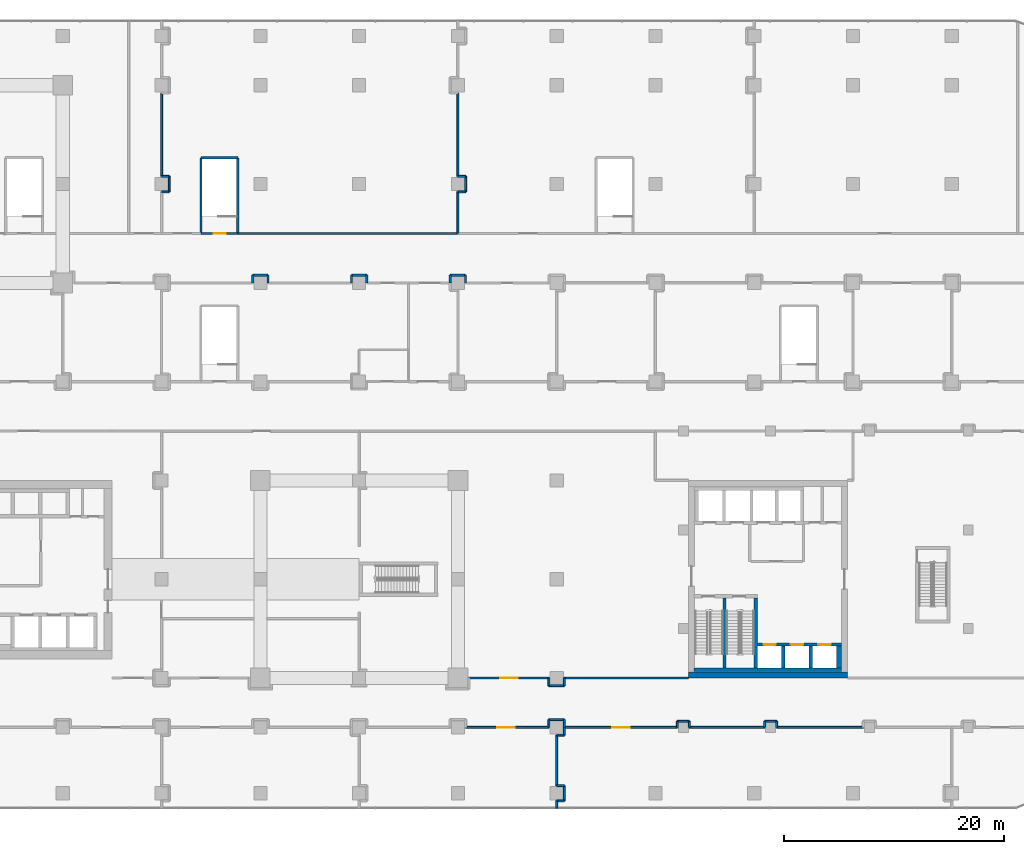
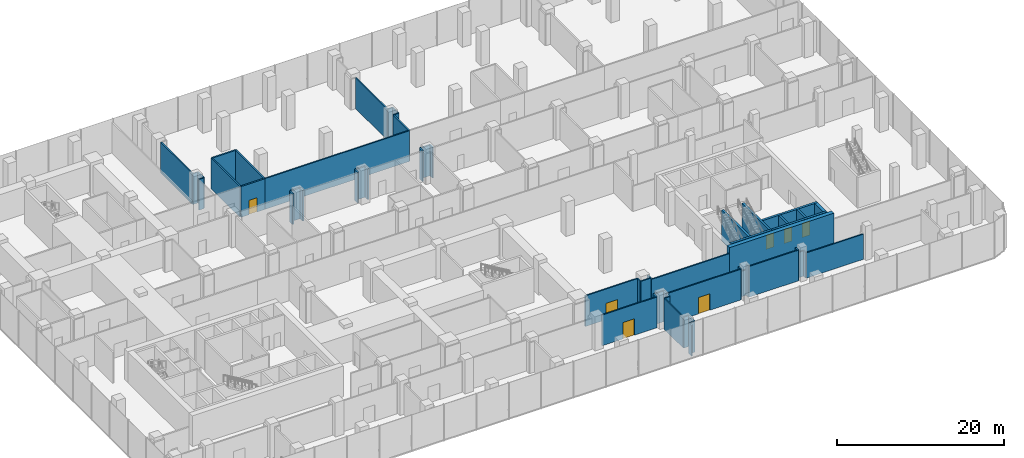
# One storey, part 28 of 36: 57 walls, 7 doors, 7 openings.
"""IFC4 building model written with IfcOpenShell, lengths in metres."""

from ifc_helpers import new_model, si_unit, direction, frame, frame_2d, origin, place, context, subcontext, project, spatial, rectangle, extrude, material, layer, layer_set, type_object, element, fill, save


model = new_model("IFC4")

# Units and contexts
model_context = context("Model", 3, precision=1e-05, world=origin(), true_north=direction((0.0, 1.0)))
body_context = subcontext(model_context, "Body", "Model", "MODEL_VIEW")
ifc_project = project(units=[si_unit("LENGTHUNIT", "METRE"), si_unit("AREAUNIT", "SQUARE_METRE"), si_unit("VOLUMEUNIT", "CUBIC_METRE"), si_unit("PLANEANGLEUNIT", "RADIAN"), si_unit("MASSUNIT", "GRAM", prefix="KILO")], contexts=[model_context])

# Site, building, storey
site_placement = place(None, origin())
site = spatial("IfcSite", under=ifc_project, at=site_placement, CompositionType="ELEMENT")
building_placement = place(site_placement, origin())
building = spatial("IfcBuilding", under=site, at=building_placement, Name="Plateau Cross Towers", CompositionType="ELEMENT")
storey_placement = place(building_placement, frame((0.0, 0.0, 21.800048828125)))
storey = spatial("IfcBuildingStorey", under=building, at=storey_placement, Name="L04", CompositionType="ELEMENT", Elevation=21.800048828125)

# Walls
ifc_material_1 = material(Name="Concrete C60/75", Category="concrete")
ifc_layer_1 = layer(ifc_material_1, 0.300048828125)
ifc_layer_set_1 = layer_set([ifc_layer_1], Name="Concrete C60/75")
wall_type_1 = type_object("IfcWallType", Name="Core shaft wall 300", PredefinedType="SHEAR", material=ifc_layer_set_1)
wall_1_placement = place(storey_placement, frame((75.530029296875, 0.75, 0.0), z_axis=(0.0, 0.0, 1.0), x_axis=(1.0, 0.0, 0.0)))
element("IfcWall", 1, at=wall_1_placement, inside=storey, type_object=wall_type_1, Name="B-sb-stS@L04", PredefinedType="SHEAR", context=body_context, shape_type="SweptSolid", body=[
    extrude(rectangle(XDim=5.77001953125, YDim=0.300048828125, at=frame_2d((2.885009765625, 0.0))), origin(), (0.0, 0.0, 1.0), 4.5),
])
for number, where, z_axis, x_axis, name in (
    (2, (78.300048828125, 0.89990234375, 0.0), (0.0, 0.0, 1.0), (0.0, 1.0, 0.0), "B-sb-st1@L04"),
    (3, (81.14990234375, 0.89990234375, 0.0), (0.0, 0.0, 1.0), (0.0, 1.0, 0.0), "B-sb-st2@L04"),
):
    element("IfcWall", number, at=place(storey_placement, frame(where, z_axis=z_axis, x_axis=x_axis)), inside=storey, type_object=wall_type_1, Name=name, PredefinedType="SHEAR", context=body_context, shape_type="SweptSolid", body=[
        extrude(rectangle(XDim=6.400146484375, YDim=0.300048828125, at=frame_2d((3.2001953125, 0.0))), origin(), (0.0, 0.0, 1.0), 4.5),
    ])
wall_2_placement = place(storey_placement, frame((81.300048828125, 0.75, 0.0), z_axis=(0.0, 0.0, 1.0), x_axis=(1.0, 0.0, 0.0)))
element("IfcWall", 4, at=wall_2_placement, inside=storey, type_object=wall_type_1, Name="B-sb-back@L04", PredefinedType="SHEAR", context=body_context, shape_type="SweptSolid", body=[
    extrude(rectangle(XDim=7.64990234375, YDim=0.300048828125, at=frame_2d((3.824951171875, 0.0))), origin(), (0.0, 0.0, 1.0), 4.5),
])
for number, where, z_axis, x_axis, name in (
    (5, (83.64990234375, 0.89990234375, 0.0), (0.0, 0.0, 1.0), (0.0, 1.0, 0.0), "B-sb-v1@L04"),
    (6, (86.14990234375, 0.89990234375, 0.0), (0.0, 0.0, 1.0), (0.0, 1.0, 0.0), "B-sb-v2@L04"),
):
    element("IfcWall", number, at=place(storey_placement, frame(where, z_axis=z_axis, x_axis=x_axis)), inside=storey, type_object=wall_type_1, Name=name, PredefinedType="SHEAR", context=body_context, shape_type="SweptSolid", body=[
        extrude(rectangle(XDim=2.0, YDim=0.300048828125, at=frame_2d((1.0, 0.0))), origin(), (0.0, 0.0, 1.0), 4.5),
    ])

# Wall, openings, doors
wall_3_placement = place(storey_placement, frame((81.300048828125, 3.050048828125, 0.0), z_axis=(0.0, 0.0, 1.0), x_axis=(1.0, 0.0, 0.0)))
wall_3 = element("IfcWall", 7, at=wall_3_placement, inside=storey, type_object=wall_type_1, Name="B-sb-front@L04", PredefinedType="SHEAR", context=body_context, shape_type="SweptSolid", body=[
    extrude(rectangle(XDim=7.64990234375, YDim=0.300048828125, at=frame_2d((3.824951171875, 0.0))), origin(), (0.0, 0.0, 1.0), 4.5),
])
opening_1_placement = place(wall_3_placement, frame((0.550048828125, 0.0, 0.0)))
opening_1 = element("IfcOpeningElement", 8, at=opening_1_placement, cuts=wall_3, Name="Opening LD", PredefinedType="OPENING", context=body_context, shape_type="SweptSolid", body=[
    extrude(rectangle(XDim=1.10009765625, YDim=2.10009765625, at=frame_2d((0.550048828125, 1.050048828125))), frame((0.0, 0.159912109375, 0.0), z_axis=(0.0, -1.0, 0.0), x_axis=(1.0, 0.0, 0.0)), (0.0, 0.0, 1.0), 0.320068359375),
])
opening_2_placement = place(wall_3_placement, frame((3.050048828125, 0.0, 0.0)))
opening_2 = element("IfcOpeningElement", 9, at=opening_2_placement, cuts=wall_3, Name="Opening LD", PredefinedType="OPENING", context=body_context, shape_type="SweptSolid", body=[
    extrude(rectangle(XDim=1.10009765625, YDim=2.10009765625, at=frame_2d((0.550048828125, 1.050048828125))), frame((0.0, 0.159912109375, 0.0), z_axis=(0.0, -1.0, 0.0), x_axis=(1.0, 0.0, 0.0)), (0.0, 0.0, 1.0), 0.320068359375),
])
opening_3_placement = place(wall_3_placement, frame((5.550048828125, 0.0, 0.0)))
opening_3 = element("IfcOpeningElement", 10, at=opening_3_placement, cuts=wall_3, Name="Opening LD", PredefinedType="OPENING", context=body_context, shape_type="SweptSolid", body=[
    extrude(rectangle(XDim=1.10009765625, YDim=2.10009765625, at=frame_2d((0.550048828125, 1.050048828125))), frame((0.0, 0.159912109375, 0.0), z_axis=(0.0, -1.0, 0.0), x_axis=(1.0, 0.0, 0.0)), (0.0, 0.0, 1.0), 0.320068359375),
])
ifc_material_2 = material(Name="Stainless steel, fire-resisting sliding leaves", Category="steel")
door_type_1 = type_object("IfcDoorType", Name="Lift landing door 1100", OperationType="NOTDEFINED", PredefinedType="DOOR", material=ifc_material_2)
door_1_placement = place(opening_1_placement, origin())
door_1 = element("IfcDoor", 11, at=door_1_placement, inside=storey, type_object=door_type_1, Name="Lift landing door LD", OperationType="DOUBLE_DOOR_SLIDING", OverallHeight=2.10009765625, OverallWidth=1.10009765625, PredefinedType="DOOR", context=body_context, shape_type="SweptSolid", body=[
    extrude(rectangle(XDim=1.10009765625, YDim=2.10009765625, at=frame_2d((0.550048828125, 1.050048828125))), frame((0.0, 0.02490234375, 0.0), z_axis=(0.0, -1.0, 0.0), x_axis=(1.0, 0.0, 0.0)), (0.0, 0.0, 1.0), 0.050048828125),
])
fill(opening_1, door_1)
door_2_placement = place(opening_2_placement, origin())
door_2 = element("IfcDoor", 12, at=door_2_placement, inside=storey, type_object=door_type_1, Name="Lift landing door LD", OperationType="DOUBLE_DOOR_SLIDING", OverallHeight=2.10009765625, OverallWidth=1.10009765625, PredefinedType="DOOR", context=body_context, shape_type="SweptSolid", body=[
    extrude(rectangle(XDim=1.10009765625, YDim=2.10009765625, at=frame_2d((0.550048828125, 1.050048828125))), frame((0.0, 0.02490234375, 0.0), z_axis=(0.0, -1.0, 0.0), x_axis=(1.0, 0.0, 0.0)), (0.0, 0.0, 1.0), 0.050048828125),
])
fill(opening_2, door_2)
door_3_placement = place(opening_3_placement, origin())
door_3 = element("IfcDoor", 13, at=door_3_placement, inside=storey, type_object=door_type_1, Name="Lift landing door LD", OperationType="DOUBLE_DOOR_SLIDING", OverallHeight=2.10009765625, OverallWidth=1.10009765625, PredefinedType="DOOR", context=body_context, shape_type="SweptSolid", body=[
    extrude(rectangle(XDim=1.10009765625, YDim=2.10009765625, at=frame_2d((0.550048828125, 1.050048828125))), frame((0.0, 0.02490234375, 0.0), z_axis=(0.0, -1.0, 0.0), x_axis=(1.0, 0.0, 0.0)), (0.0, 0.0, 1.0), 0.050048828125),
])
fill(opening_3, door_3)

# Walls
ifc_layer_2 = layer(ifc_material_1, 0.449951171875)
ifc_layer_set_2 = layer_set([ifc_layer_2], Name="Concrete C60/75")
wall_type_2 = type_object("IfcWallType", Name="Core shaft wall 450", PredefinedType="SHEAR", material=ifc_layer_set_2)
wall_4_placement = place(storey_placement, frame((88.72509765625, 0.89990234375, 0.0), z_axis=(0.0, 0.0, 1.0), x_axis=(0.0, 1.0, 0.0)))
element("IfcWall", 14, at=wall_4_placement, inside=storey, type_object=wall_type_2, Name="B-sb-v3@L04", PredefinedType="SHEAR", context=body_context, shape_type="SweptSolid", body=[
    extrude(rectangle(XDim=2.0, YDim=0.449951171875, at=frame_2d((1.0, 0.0))), origin(), (0.0, 0.0, 1.0), 4.5),
])
ifc_layer_3 = layer(ifc_material_1, 0.550048828125)
ifc_layer_set_3 = layer_set([ifc_layer_3], Name="Concrete C60/75")
wall_type_3 = type_object("IfcWallType", Name="Core shell wall 550", PredefinedType="SHEAR", material=ifc_layer_set_3)
wall_5_placement = place(storey_placement, frame((75.0, 0.27490234375, 0.0), z_axis=(0.0, 0.0, 1.0), x_axis=(1.0, 0.0, 0.0)))
element("IfcWall", 15, at=wall_5_placement, inside=storey, type_object=wall_type_3, Name="B-core-S@L04", PredefinedType="SHEAR", context=body_context, shape_type="SweptSolid", body=[
    extrude(rectangle(XDim=14.5, YDim=0.550048828125, at=frame_2d((7.25, 0.0))), origin(), (0.0, 0.0, 1.0), 4.5),
])
ifc_material_3 = material(Name="Dense masonry block, plastered, acoustic lining", Category="masonry")
ifc_layer_4 = layer(ifc_material_3, 0.179931640625)
ifc_layer_set_4 = layer_set([ifc_layer_4], Name="Dense masonry block, plastered, acoustic lining")
wall_type_4 = type_object("IfcWallType", Name="Plant room acoustic wall 180", PredefinedType="PARTITIONING", material=ifc_layer_set_4)
wall_6_placement = place(storey_placement, frame((90.949951171875, -4.5, 0.0), z_axis=(0.0, 0.0, 1.0), x_axis=(-1.0, 0.0, 0.0)))
element("IfcWall", 16, at=wall_6_placement, inside=storey, type_object=wall_type_4, Name="Partition wall", PredefinedType="PARTITIONING", context=body_context, shape_type="SweptSolid", body=[
    extrude(rectangle(XDim=7.89990234375, YDim=0.179931640625, at=frame_2d((3.949951171875, 0.0))), origin(), (0.0, 0.0, 1.0), 3.699951171875),
])
wall_7_placement = place(storey_placement, frame((83.050048828125, -4.5, 0.0), z_axis=(0.0, 0.0, 1.0), x_axis=(0.0, 1.0, 0.0)))
element("IfcWall", 17, at=wall_7_placement, inside=storey, type_object=wall_type_4, Name="Partition wall", PredefinedType="PARTITIONING", context=body_context, shape_type="SweptSolid", body=[
    extrude(rectangle(XDim=0.550048828125, YDim=0.179931640625, at=frame_2d((0.27490234375, 0.0))), origin(), (0.0, 0.0, 1.0), 3.699951171875),
])
wall_8_placement = place(storey_placement, frame((83.050048828125, -3.949951171875, 0.0), z_axis=(0.0, 0.0, 1.0), x_axis=(-1.0, 0.0, 0.0)))
element("IfcWall", 18, at=wall_8_placement, inside=storey, type_object=wall_type_4, Name="Partition wall", PredefinedType="PARTITIONING", context=body_context, shape_type="SweptSolid", body=[
    extrude(rectangle(XDim=1.10009765625, YDim=0.179931640625, at=frame_2d((0.550048828125, 0.0))), origin(), (0.0, 0.0, 1.0), 3.699951171875),
])
wall_9_placement = place(storey_placement, frame((81.949951171875, -3.949951171875, 0.0), z_axis=(0.0, 0.0, 1.0), x_axis=(0.0, -1.0, 0.0)))
element("IfcWall", 19, at=wall_9_placement, inside=storey, type_object=wall_type_4, Name="Partition wall", PredefinedType="PARTITIONING", context=body_context, shape_type="SweptSolid", body=[
    extrude(rectangle(XDim=0.550048828125, YDim=0.179931640625, at=frame_2d((0.27490234375, 0.0))), origin(), (0.0, 0.0, 1.0), 4.5),
])
wall_10_placement = place(storey_placement, frame((81.949951171875, -4.5, 0.0), z_axis=(0.0, 0.0, 1.0), x_axis=(-1.0, 0.0, 0.0)))
element("IfcWall", 20, at=wall_10_placement, inside=storey, type_object=wall_type_4, Name="Partition wall", PredefinedType="PARTITIONING", context=body_context, shape_type="SweptSolid", body=[
    extrude(rectangle(XDim=6.849853515625, YDim=0.179931640625, at=frame_2d((3.4248046875, 0.0))), origin(), (0.0, 0.0, 1.0), 4.5),
])
wall_11_placement = place(storey_placement, frame((75.10009765625, -4.5, 0.0), z_axis=(0.0, 0.0, 1.0), x_axis=(0.0, 1.0, 0.0)))
element("IfcWall", 21, at=wall_11_placement, inside=storey, type_object=wall_type_4, Name="Partition wall", PredefinedType="PARTITIONING", context=body_context, shape_type="SweptSolid", body=[
    extrude(rectangle(XDim=0.550048828125, YDim=0.179931640625, at=frame_2d((0.27490234375, 0.0))), origin(), (0.0, 0.0, 1.0), 4.5),
])
wall_12_placement = place(storey_placement, frame((75.10009765625, -3.949951171875, 0.0), z_axis=(0.0, 0.0, 1.0), x_axis=(-1.0, 0.0, 0.0)))
element("IfcWall", 22, at=wall_12_placement, inside=storey, type_object=wall_type_4, Name="Partition wall", PredefinedType="PARTITIONING", context=body_context, shape_type="SweptSolid", body=[
    extrude(rectangle(XDim=1.10009765625, YDim=0.179931640625, at=frame_2d((0.550048828125, 0.0))), origin(), (0.0, 0.0, 1.0), 3.699951171875),
])
wall_13_placement = place(storey_placement, frame((74.0, -3.949951171875, 0.0), z_axis=(0.0, 0.0, 1.0), x_axis=(0.0, -1.0, 0.0)))
element("IfcWall", 23, at=wall_13_placement, inside=storey, type_object=wall_type_4, Name="Partition wall", PredefinedType="PARTITIONING", context=body_context, shape_type="SweptSolid", body=[
    extrude(rectangle(XDim=0.550048828125, YDim=0.179931640625, at=frame_2d((0.27490234375, 0.0))), origin(), (0.0, 0.0, 1.0), 4.5),
])

# Wall, opening, door
wall_14_placement = place(storey_placement, frame((74.0, -4.5, 0.0), z_axis=(0.0, 0.0, 1.0), x_axis=(-1.0, 0.0, 0.0)))
wall_14 = element("IfcWall", 24, at=wall_14_placement, inside=storey, type_object=wall_type_4, Name="Partition wall", PredefinedType="PARTITIONING", context=body_context, shape_type="SweptSolid", body=[
    extrude(rectangle(XDim=10.300048828125, YDim=0.179931640625, at=frame_2d((5.14990234375, 0.0))), origin(), (0.0, 0.0, 1.0), 4.5),
])
opening_4_placement = place(wall_14_placement, frame((4.35009765625, 0.0, 0.0)))
opening_4 = element("IfcOpeningElement", 25, at=opening_4_placement, cuts=wall_14, Name="Opening 04-15", PredefinedType="OPENING", context=body_context, shape_type="SweptSolid", body=[
    extrude(rectangle(XDim=1.60009765625, YDim=2.39990234375, at=frame_2d((0.800048828125, 1.199951171875))), frame((0.0, 0.099853515625, 0.0), z_axis=(0.0, -1.0, 0.0), x_axis=(1.0, 0.0, 0.0)), (0.0, 0.0, 1.0), 0.199951171875),
])
ifc_material_4 = material(Name="Steel, fire-resisting double leaf with louvre panel", Category="steel")
door_type_2 = type_object("IfcDoorType", Name="Plant room double door 1600x2400", OperationType="NOTDEFINED", PredefinedType="DOOR", material=ifc_material_4)
door_4_placement = place(opening_4_placement, origin())
door_4 = element("IfcDoor", 26, at=door_4_placement, inside=storey, type_object=door_type_2, Name="Door 04-15", OperationType="SINGLE_SWING_LEFT", OverallHeight=2.39990234375, OverallWidth=1.60009765625, PredefinedType="DOOR", context=body_context, shape_type="SweptSolid", body=[
    extrude(rectangle(XDim=1.60009765625, YDim=2.39990234375, at=frame_2d((0.800048828125, 1.199951171875))), frame((0.0, 0.02490234375, 0.0), z_axis=(0.0, -1.0, 0.0), x_axis=(1.0, 0.0, 0.0)), (0.0, 0.0, 1.0), 0.050048828125),
])
fill(opening_4, door_4)

wall_15_placement = place(storey_placement, frame((55.0, 0.0, 0.0), z_axis=(0.0, 0.0, 1.0), x_axis=(1.0, 0.0, 0.0)))
wall_15 = element("IfcWall", 27, at=wall_15_placement, inside=storey, type_object=wall_type_4, Name="Partition wall", PredefinedType="PARTITIONING", context=body_context, shape_type="SweptSolid", body=[
    extrude(rectangle(XDim=7.300048828125, YDim=0.179931640625, at=frame_2d((3.64990234375, 0.0))), origin(), (0.0, 0.0, 1.0), 4.5),
])
opening_5_placement = place(wall_15_placement, frame((2.85009765625, 0.0, 0.0)))
opening_5 = element("IfcOpeningElement", 28, at=opening_5_placement, cuts=wall_15, Name="Opening 04-30", PredefinedType="OPENING", context=body_context, shape_type="SweptSolid", body=[
    extrude(rectangle(XDim=1.60009765625, YDim=2.39990234375, at=frame_2d((0.800048828125, 1.199951171875))), frame((0.0, 0.099853515625, 0.0), z_axis=(0.0, -1.0, 0.0), x_axis=(1.0, 0.0, 0.0)), (0.0, 0.0, 1.0), 0.199951171875),
])
door_5_placement = place(opening_5_placement, origin())
door_5 = element("IfcDoor", 29, at=door_5_placement, inside=storey, type_object=door_type_2, Name="Door 04-30", OperationType="SINGLE_SWING_LEFT", OverallHeight=2.39990234375, OverallWidth=1.60009765625, PredefinedType="DOOR", context=body_context, shape_type="SweptSolid", body=[
    extrude(rectangle(XDim=1.60009765625, YDim=2.39990234375, at=frame_2d((0.800048828125, 1.199951171875))), frame((0.0, 0.02490234375, 0.0), z_axis=(0.0, -1.0, 0.0), x_axis=(1.0, 0.0, 0.0)), (0.0, 0.0, 1.0), 0.050048828125),
])
fill(opening_5, door_5)

# Walls
wall_16_placement = place(storey_placement, frame((62.300048828125, 0.0, 0.0), z_axis=(0.0, 0.0, 1.0), x_axis=(0.0, -1.0, 0.0)))
element("IfcWall", 30, at=wall_16_placement, inside=storey, type_object=wall_type_4, Name="Partition wall", PredefinedType="PARTITIONING", context=body_context, shape_type="SweptSolid", body=[
    extrude(rectangle(XDim=0.699951171875, YDim=0.179931640625, at=frame_2d((0.35009765625, 0.0))), origin(), (0.0, 0.0, 1.0), 4.5),
])
wall_17_placement = place(storey_placement, frame((62.300048828125, -0.699951171875, 0.0), z_axis=(0.0, 0.0, 1.0), x_axis=(1.0, 0.0, 0.0)))
element("IfcWall", 31, at=wall_17_placement, inside=storey, type_object=wall_type_4, Name="Partition wall", PredefinedType="PARTITIONING", context=body_context, shape_type="SweptSolid", body=[
    extrude(rectangle(XDim=1.39990234375, YDim=0.179931640625, at=frame_2d((0.699951171875, 0.0))), origin(), (0.0, 0.0, 1.0), 4.5),
])
wall_18_placement = place(storey_placement, frame((63.699951171875, -0.699951171875, 0.0), z_axis=(0.0, 0.0, 1.0), x_axis=(0.0, 1.0, 0.0)))
element("IfcWall", 32, at=wall_18_placement, inside=storey, type_object=wall_type_4, Name="Partition wall", PredefinedType="PARTITIONING", context=body_context, shape_type="SweptSolid", body=[
    extrude(rectangle(XDim=0.699951171875, YDim=0.179931640625, at=frame_2d((0.35009765625, 0.0))), origin(), (0.0, 0.0, 1.0), 4.5),
])
wall_19_placement = place(storey_placement, frame((63.699951171875, 0.0, 0.0), z_axis=(0.0, 0.0, 1.0), x_axis=(1.0, 0.0, 0.0)))
element("IfcWall", 33, at=wall_19_placement, inside=storey, type_object=wall_type_4, Name="Partition wall", PredefinedType="PARTITIONING", context=body_context, shape_type="SweptSolid", body=[
    extrude(rectangle(XDim=11.300048828125, YDim=0.179931640625, at=frame_2d((5.64990234375, 0.0))), origin(), (0.0, 0.0, 1.0), 3.699951171875),
])
wall_20_placement = place(storey_placement, frame((63.699951171875, -4.5, 0.0), z_axis=(0.0, 0.0, 1.0), x_axis=(0.0, 1.0, 0.0)))
element("IfcWall", 34, at=wall_20_placement, inside=storey, type_object=wall_type_4, Name="Partition wall", PredefinedType="PARTITIONING", context=body_context, shape_type="SweptSolid", body=[
    extrude(rectangle(XDim=0.699951171875, YDim=0.179931640625, at=frame_2d((0.35009765625, 0.0))), origin(), (0.0, 0.0, 1.0), 4.5),
])
wall_21_placement = place(storey_placement, frame((63.699951171875, -3.800048828125, 0.0), z_axis=(0.0, 0.0, 1.0), x_axis=(-1.0, 0.0, 0.0)))
element("IfcWall", 35, at=wall_21_placement, inside=storey, type_object=wall_type_4, Name="Partition wall", PredefinedType="PARTITIONING", context=body_context, shape_type="SweptSolid", body=[
    extrude(rectangle(XDim=1.39990234375, YDim=0.179931640625, at=frame_2d((0.699951171875, 0.0))), origin(), (0.0, 0.0, 1.0), 4.5),
])
wall_22_placement = place(storey_placement, frame((62.300048828125, -3.800048828125, 0.0), z_axis=(0.0, 0.0, 1.0), x_axis=(0.0, -1.0, 0.0)))
element("IfcWall", 36, at=wall_22_placement, inside=storey, type_object=wall_type_4, Name="Partition wall", PredefinedType="PARTITIONING", context=body_context, shape_type="SweptSolid", body=[
    extrude(rectangle(XDim=0.699951171875, YDim=0.179931640625, at=frame_2d((0.35009765625, 0.0))), origin(), (0.0, 0.0, 1.0), 4.5),
])

# Wall, opening, door
wall_23_placement = place(storey_placement, frame((62.300048828125, -4.5, 0.0), z_axis=(0.0, 0.0, 1.0), x_axis=(-1.0, 0.0, 0.0)))
wall_23 = element("IfcWall", 37, at=wall_23_placement, inside=storey, type_object=wall_type_4, Name="Partition wall", PredefinedType="PARTITIONING", context=body_context, shape_type="SweptSolid", body=[
    extrude(rectangle(XDim=7.60009765625, YDim=0.179931640625, at=frame_2d((3.800048828125, 0.0))), origin(), (0.0, 0.0, 1.0), 4.5),
])
opening_6_placement = place(wall_23_placement, frame((3.10009765625, 0.0, 0.0)))
opening_6 = element("IfcOpeningElement", 38, at=opening_6_placement, cuts=wall_23, Name="Opening 04-14", PredefinedType="OPENING", context=body_context, shape_type="SweptSolid", body=[
    extrude(rectangle(XDim=1.60009765625, YDim=2.39990234375, at=frame_2d((0.800048828125, 1.199951171875))), frame((0.0, 0.099853515625, 0.0), z_axis=(0.0, -1.0, 0.0), x_axis=(1.0, 0.0, 0.0)), (0.0, 0.0, 1.0), 0.199951171875),
])
door_6_placement = place(opening_6_placement, origin())
door_6 = element("IfcDoor", 39, at=door_6_placement, inside=storey, type_object=door_type_2, Name="Door 04-14", OperationType="SINGLE_SWING_LEFT", OverallHeight=2.39990234375, OverallWidth=1.60009765625, PredefinedType="DOOR", context=body_context, shape_type="SweptSolid", body=[
    extrude(rectangle(XDim=1.60009765625, YDim=2.39990234375, at=frame_2d((0.800048828125, 1.199951171875))), frame((0.0, 0.02490234375, 0.0), z_axis=(0.0, -1.0, 0.0), x_axis=(1.0, 0.0, 0.0)), (0.0, 0.0, 1.0), 0.050048828125),
])
fill(opening_6, door_6)

# Walls
wall_24_placement = place(storey_placement, frame((54.0, 53.300048828125, 0.0), z_axis=(0.0, 0.0, 1.0), x_axis=(0.0, -1.0, 0.0)))
element("IfcWall", 40, at=wall_24_placement, inside=storey, type_object=wall_type_4, Name="Partition wall", PredefinedType="PARTITIONING", context=body_context, shape_type="SweptSolid", body=[
    extrude(rectangle(XDim=7.60009765625, YDim=0.179931640625, at=frame_2d((3.800048828125, 0.0))), origin(), (0.0, 0.0, 1.0), 4.5),
])
wall_25_placement = place(storey_placement, frame((54.0, 45.699951171875, 0.0), z_axis=(0.0, 0.0, 1.0), x_axis=(1.0, 0.0, 0.0)))
element("IfcWall", 41, at=wall_25_placement, inside=storey, type_object=wall_type_4, Name="Partition wall", PredefinedType="PARTITIONING", context=body_context, shape_type="SweptSolid", body=[
    extrude(rectangle(XDim=0.699951171875, YDim=0.179931640625, at=frame_2d((0.35009765625, 0.0))), origin(), (0.0, 0.0, 1.0), 4.5),
])
wall_26_placement = place(storey_placement, frame((54.699951171875, 45.699951171875, 0.0), z_axis=(0.0, 0.0, 1.0), x_axis=(0.0, -1.0, 0.0)))
element("IfcWall", 42, at=wall_26_placement, inside=storey, type_object=wall_type_4, Name="Partition wall", PredefinedType="PARTITIONING", context=body_context, shape_type="SweptSolid", body=[
    extrude(rectangle(XDim=1.39990234375, YDim=0.179931640625, at=frame_2d((0.699951171875, 0.0))), origin(), (0.0, 0.0, 1.0), 4.5),
])
wall_27_placement = place(storey_placement, frame((54.699951171875, 44.300048828125, 0.0), z_axis=(0.0, 0.0, 1.0), x_axis=(-1.0, 0.0, 0.0)))
element("IfcWall", 43, at=wall_27_placement, inside=storey, type_object=wall_type_4, Name="Partition wall", PredefinedType="PARTITIONING", context=body_context, shape_type="SweptSolid", body=[
    extrude(rectangle(XDim=0.699951171875, YDim=0.179931640625, at=frame_2d((0.35009765625, 0.0))), origin(), (0.0, 0.0, 1.0), 4.5),
])
wall_28_placement = place(storey_placement, frame((54.0, 44.300048828125, 0.0), z_axis=(0.0, 0.0, 1.0), x_axis=(0.0, -1.0, 0.0)))
element("IfcWall", 44, at=wall_28_placement, inside=storey, type_object=wall_type_4, Name="Partition wall", PredefinedType="PARTITIONING", context=body_context, shape_type="SweptSolid", body=[
    extrude(rectangle(XDim=3.800048828125, YDim=0.179931640625, at=frame_2d((1.89990234375, 0.0))), origin(), (0.0, 0.0, 1.0), 4.5),
])
wall_29_placement = place(storey_placement, frame((27.0, 53.300048828125, 0.0), z_axis=(0.0, 0.0, 1.0), x_axis=(0.0, -1.0, 0.0)))
element("IfcWall", 45, at=wall_29_placement, inside=storey, type_object=wall_type_4, Name="Partition wall", PredefinedType="PARTITIONING", context=body_context, shape_type="SweptSolid", body=[
    extrude(rectangle(XDim=7.60009765625, YDim=0.179931640625, at=frame_2d((3.800048828125, 0.0))), origin(), (0.0, 0.0, 1.0), 4.5),
])
wall_30_placement = place(storey_placement, frame((27.0, 45.699951171875, 0.0), z_axis=(0.0, 0.0, 1.0), x_axis=(1.0, 0.0, 0.0)))
element("IfcWall", 46, at=wall_30_placement, inside=storey, type_object=wall_type_4, Name="Partition wall", PredefinedType="PARTITIONING", context=body_context, shape_type="SweptSolid", body=[
    extrude(rectangle(XDim=0.699951171875, YDim=0.179931640625, at=frame_2d((0.35009765625, 0.0))), origin(), (0.0, 0.0, 1.0), 4.5),
])
wall_31_placement = place(storey_placement, frame((27.699951171875, 45.699951171875, 0.0), z_axis=(0.0, 0.0, 1.0), x_axis=(0.0, -1.0, 0.0)))
element("IfcWall", 47, at=wall_31_placement, inside=storey, type_object=wall_type_4, Name="Partition wall", PredefinedType="PARTITIONING", context=body_context, shape_type="SweptSolid", body=[
    extrude(rectangle(XDim=1.39990234375, YDim=0.179931640625, at=frame_2d((0.699951171875, 0.0))), origin(), (0.0, 0.0, 1.0), 4.5),
])
wall_32_placement = place(storey_placement, frame((27.699951171875, 44.300048828125, 0.0), z_axis=(0.0, 0.0, 1.0), x_axis=(-1.0, 0.0, 0.0)))
element("IfcWall", 48, at=wall_32_placement, inside=storey, type_object=wall_type_4, Name="Partition wall", PredefinedType="PARTITIONING", context=body_context, shape_type="SweptSolid", body=[
    extrude(rectangle(XDim=0.699951171875, YDim=0.179931640625, at=frame_2d((0.35009765625, 0.0))), origin(), (0.0, 0.0, 1.0), 4.5),
])
wall_33_placement = place(storey_placement, frame((33.949951171875, 40.5, 0.0), z_axis=(0.0, 0.0, 1.0), x_axis=(1.0, 0.0, 0.0)))
element("IfcWall", 49, at=wall_33_placement, inside=storey, type_object=wall_type_4, Name="Partition wall", PredefinedType="PARTITIONING", context=body_context, shape_type="SweptSolid", body=[
    extrude(rectangle(XDim=20.050048828125, YDim=0.179931640625, at=frame_2d((10.02490234375, 0.0))), origin(), (0.0, 0.0, 1.0), 4.5),
])
for number, where, z_axis, x_axis, name in (
    (50, (63.699951171875, -4.5, 0.0), (0.0, 0.0, 1.0), (0.0, -1.0, 0.0), "Partition wall"),
    (51, (63.699951171875, -5.199951171875, 0.0), (0.0, 0.0, 1.0), (-1.0, 0.0, 0.0), "Partition wall"),
):
    element("IfcWall", number, at=place(storey_placement, frame(where, z_axis=z_axis, x_axis=x_axis)), inside=storey, type_object=wall_type_4, Name=name, PredefinedType="PARTITIONING", context=body_context, shape_type="SweptSolid", body=[
        extrude(rectangle(XDim=0.699951171875, YDim=0.179931640625, at=frame_2d((0.35009765625, 0.0))), origin(), (0.0, 0.0, 1.0), 4.5),
    ])
wall_34_placement = place(storey_placement, frame((63.0, -5.199951171875, 0.0), z_axis=(0.0, 0.0, 1.0), x_axis=(0.0, -1.0, 0.0)))
element("IfcWall", 52, at=wall_34_placement, inside=storey, type_object=wall_type_4, Name="Partition wall", PredefinedType="PARTITIONING", context=body_context, shape_type="SweptSolid", body=[
    extrude(rectangle(XDim=4.60009765625, YDim=0.179931640625, at=frame_2d((2.300048828125, 0.0))), origin(), (0.0, 0.0, 1.0), 4.5),
])
wall_35_placement = place(storey_placement, frame((63.0, -9.800048828125, 0.0), z_axis=(0.0, 0.0, 1.0), x_axis=(1.0, 0.0, 0.0)))
element("IfcWall", 53, at=wall_35_placement, inside=storey, type_object=wall_type_4, Name="Partition wall", PredefinedType="PARTITIONING", context=body_context, shape_type="SweptSolid", body=[
    extrude(rectangle(XDim=0.699951171875, YDim=0.179931640625, at=frame_2d((0.35009765625, 0.0))), origin(), (0.0, 0.0, 1.0), 4.5),
])
wall_36_placement = place(storey_placement, frame((63.699951171875, -9.800048828125, 0.0), z_axis=(0.0, 0.0, 1.0), x_axis=(0.0, -1.0, 0.0)))
element("IfcWall", 54, at=wall_36_placement, inside=storey, type_object=wall_type_4, Name="Partition wall", PredefinedType="PARTITIONING", context=body_context, shape_type="SweptSolid", body=[
    extrude(rectangle(XDim=1.39990234375, YDim=0.179931640625, at=frame_2d((0.699951171875, 0.0))), origin(), (0.0, 0.0, 1.0), 4.5),
])
wall_37_placement = place(storey_placement, frame((63.699951171875, -11.199951171875, 0.0), z_axis=(0.0, 0.0, 1.0), x_axis=(-1.0, 0.0, 0.0)))
element("IfcWall", 55, at=wall_37_placement, inside=storey, type_object=wall_type_4, Name="Partition wall", PredefinedType="PARTITIONING", context=body_context, shape_type="SweptSolid", body=[
    extrude(rectangle(XDim=0.699951171875, YDim=0.179931640625, at=frame_2d((0.35009765625, 0.0))), origin(), (0.0, 0.0, 1.0), 4.5),
])
wall_38_placement = place(storey_placement, frame((63.0, -11.199951171875, 0.0), z_axis=(0.0, 0.0, 1.0), x_axis=(0.0, -1.0, 0.0)))
element("IfcWall", 56, at=wall_38_placement, inside=storey, type_object=wall_type_4, Name="Partition wall", PredefinedType="PARTITIONING", context=body_context, shape_type="SweptSolid", body=[
    extrude(rectangle(XDim=0.650146484375, YDim=0.179931640625, at=frame_2d((0.3251953125, 0.0))), origin(), (0.0, 0.0, 1.0), 4.5),
])
ifc_material_5 = material(Name="Gypsum board on steel studs", Category="steel")
ifc_layer_5 = layer(ifc_material_5, 0.199951171875)
ifc_layer_set_5 = layer_set([ifc_layer_5], Name="Gypsum board on steel studs")
wall_type_5 = type_object("IfcWallType", Name="Podium partition 200", PredefinedType="PARTITIONING", material=ifc_layer_set_5)
wall_39_placement = place(storey_placement, frame((45.699951171875, 36.0, 0.0), z_axis=(0.0, 0.0, 1.0), x_axis=(0.0, 1.0, 0.0)))
element("IfcWall", 57, at=wall_39_placement, inside=storey, type_object=wall_type_5, Name="Partition wall", PredefinedType="PARTITIONING", context=body_context, shape_type="SweptSolid", body=[
    extrude(rectangle(XDim=0.699951171875, YDim=0.199951171875, at=frame_2d((0.35009765625, 0.0))), origin(), (0.0, 0.0, 1.0), 4.5),
])
wall_40_placement = place(storey_placement, frame((45.699951171875, 36.699951171875, 0.0), z_axis=(0.0, 0.0, 1.0), x_axis=(-1.0, 0.0, 0.0)))
element("IfcWall", 58, at=wall_40_placement, inside=storey, type_object=wall_type_5, Name="Partition wall", PredefinedType="PARTITIONING", context=body_context, shape_type="SweptSolid", body=[
    extrude(rectangle(XDim=1.39990234375, YDim=0.199951171875, at=frame_2d((0.699951171875, 0.0))), origin(), (0.0, 0.0, 1.0), 4.5),
])
for number, where, z_axis, x_axis, name in (
    (59, (44.300048828125, 36.699951171875, 0.0), (0.0, 0.0, 1.0), (0.0, -1.0, 0.0), "Partition wall"),
    (60, (36.699951171875, 36.0, 0.0), (0.0, 0.0, 1.0), (0.0, 1.0, 0.0), "Partition wall"),
):
    element("IfcWall", number, at=place(storey_placement, frame(where, z_axis=z_axis, x_axis=x_axis)), inside=storey, type_object=wall_type_5, Name=name, PredefinedType="PARTITIONING", context=body_context, shape_type="SweptSolid", body=[
        extrude(rectangle(XDim=0.699951171875, YDim=0.199951171875, at=frame_2d((0.35009765625, 0.0))), origin(), (0.0, 0.0, 1.0), 4.5),
    ])
wall_41_placement = place(storey_placement, frame((36.699951171875, 36.699951171875, 0.0), z_axis=(0.0, 0.0, 1.0), x_axis=(-1.0, 0.0, 0.0)))
element("IfcWall", 61, at=wall_41_placement, inside=storey, type_object=wall_type_5, Name="Partition wall", PredefinedType="PARTITIONING", context=body_context, shape_type="SweptSolid", body=[
    extrude(rectangle(XDim=1.39990234375, YDim=0.199951171875, at=frame_2d((0.699951171875, 0.0))), origin(), (0.0, 0.0, 1.0), 4.5),
])
for number, where, z_axis, x_axis, name in (
    (62, (35.300048828125, 36.699951171875, 0.0), (0.0, 0.0, 1.0), (0.0, -1.0, 0.0), "Partition wall"),
    (63, (54.699951171875, 36.0, 0.0), (0.0, 0.0, 1.0), (0.0, 1.0, 0.0), "Partition wall"),
):
    element("IfcWall", number, at=place(storey_placement, frame(where, z_axis=z_axis, x_axis=x_axis)), inside=storey, type_object=wall_type_5, Name=name, PredefinedType="PARTITIONING", context=body_context, shape_type="SweptSolid", body=[
        extrude(rectangle(XDim=0.699951171875, YDim=0.199951171875, at=frame_2d((0.35009765625, 0.0))), origin(), (0.0, 0.0, 1.0), 4.5),
    ])
wall_42_placement = place(storey_placement, frame((54.699951171875, 36.699951171875, 0.0), z_axis=(0.0, 0.0, 1.0), x_axis=(-1.0, 0.0, 0.0)))
element("IfcWall", 64, at=wall_42_placement, inside=storey, type_object=wall_type_5, Name="Partition wall", PredefinedType="PARTITIONING", context=body_context, shape_type="SweptSolid", body=[
    extrude(rectangle(XDim=1.39990234375, YDim=0.199951171875, at=frame_2d((0.699951171875, 0.0))), origin(), (0.0, 0.0, 1.0), 4.5),
])
wall_43_placement = place(storey_placement, frame((53.300048828125, 36.699951171875, 0.0), z_axis=(0.0, 0.0, 1.0), x_axis=(0.0, -1.0, 0.0)))
element("IfcWall", 65, at=wall_43_placement, inside=storey, type_object=wall_type_5, Name="Partition wall", PredefinedType="PARTITIONING", context=body_context, shape_type="SweptSolid", body=[
    extrude(rectangle(XDim=0.699951171875, YDim=0.199951171875, at=frame_2d((0.35009765625, 0.0))), origin(), (0.0, 0.0, 1.0), 4.5),
])
ifc_material_6 = material(Name="Fire-rated plasterboard shaft wall system")
ifc_layer_6 = layer(ifc_material_6, 0.199951171875)
ifc_layer_set_6 = layer_set([ifc_layer_6], Name="Fire-rated plasterboard shaft wall system")
wall_type_6 = type_object("IfcWallType", Name="Podium stair shaft wall 200", PredefinedType="PARTITIONING", material=ifc_layer_set_6)
wall_44_placement = place(storey_placement, frame((30.60009765625, 40.5, 0.0), z_axis=(0.0, 0.0, 1.0), x_axis=(0.0, 1.0, 0.0)))
element("IfcWall", 66, at=wall_44_placement, inside=storey, type_object=wall_type_6, Name="Partition wall", PredefinedType="PARTITIONING", context=body_context, shape_type="SweptSolid", body=[
    extrude(rectangle(XDim=6.89990234375, YDim=0.199951171875, at=frame_2d((3.449951171875, 0.0))), origin(), (0.0, 0.0, 1.0), 4.5),
])
wall_45_placement = place(storey_placement, frame((30.60009765625, 47.39990234375, 0.0), z_axis=(0.0, 0.0, 1.0), x_axis=(1.0, 0.0, 0.0)))
element("IfcWall", 67, at=wall_45_placement, inside=storey, type_object=wall_type_6, Name="Partition wall", PredefinedType="PARTITIONING", context=body_context, shape_type="SweptSolid", body=[
    extrude(rectangle(XDim=3.349853515625, YDim=0.199951171875, at=frame_2d((1.6748046875, 0.0))), origin(), (0.0, 0.0, 1.0), 4.5),
])
wall_46_placement = place(storey_placement, frame((33.949951171875, 47.39990234375, 0.0), z_axis=(0.0, 0.0, 1.0), x_axis=(0.0, -1.0, 0.0)))
element("IfcWall", 68, at=wall_46_placement, inside=storey, type_object=wall_type_6, Name="Partition wall", PredefinedType="PARTITIONING", context=body_context, shape_type="SweptSolid", body=[
    extrude(rectangle(XDim=6.89990234375, YDim=0.199951171875, at=frame_2d((3.449951171875, 0.0))), origin(), (0.0, 0.0, 1.0), 4.5),
])

# Wall, opening, door
wall_47_placement = place(storey_placement, frame((33.949951171875, 40.5, 0.0), z_axis=(0.0, 0.0, 1.0), x_axis=(-1.0, 0.0, 0.0)))
wall_47 = element("IfcWall", 69, at=wall_47_placement, inside=storey, type_object=wall_type_6, Name="Partition wall", PredefinedType="PARTITIONING", context=body_context, shape_type="SweptSolid", body=[
    extrude(rectangle(XDim=3.349853515625, YDim=0.199951171875, at=frame_2d((1.6748046875, 0.0))), origin(), (0.0, 0.0, 1.0), 4.5),
])
opening_7_placement = place(wall_47_placement, frame((1.10009765625, 0.0, 0.0)))
opening_7 = element("IfcOpeningElement", 70, at=opening_7_placement, cuts=wall_47, Name="Opening 04-06", PredefinedType="OPENING", context=body_context, shape_type="SweptSolid", body=[
    extrude(rectangle(XDim=1.10009765625, YDim=2.10009765625, at=frame_2d((0.550048828125, 1.050048828125))), frame((0.0, 0.10986328125, 0.0), z_axis=(0.0, -1.0, 0.0), x_axis=(1.0, 0.0, 0.0)), (0.0, 0.0, 1.0), 0.219970703125),
])
ifc_material_7 = material(Name="Steel, fire-resisting leaf", Category="steel")
door_type_3 = type_object("IfcDoorType", Name="Podium stair door 1100", OperationType="NOTDEFINED", PredefinedType="DOOR", material=ifc_material_7)
door_7_placement = place(opening_7_placement, origin())
door_7 = element("IfcDoor", 71, at=door_7_placement, inside=storey, type_object=door_type_3, Name="Door 04-06", OperationType="SINGLE_SWING_LEFT", OverallHeight=2.10009765625, OverallWidth=1.10009765625, PredefinedType="DOOR", context=body_context, shape_type="SweptSolid", body=[
    extrude(rectangle(XDim=1.10009765625, YDim=2.10009765625, at=frame_2d((0.550048828125, 1.050048828125))), frame((0.0, 0.02490234375, 0.0), z_axis=(0.0, -1.0, 0.0), x_axis=(1.0, 0.0, 0.0)), (0.0, 0.0, 1.0), 0.050048828125),
])
fill(opening_7, door_7)

save(model, "model.ifc")
